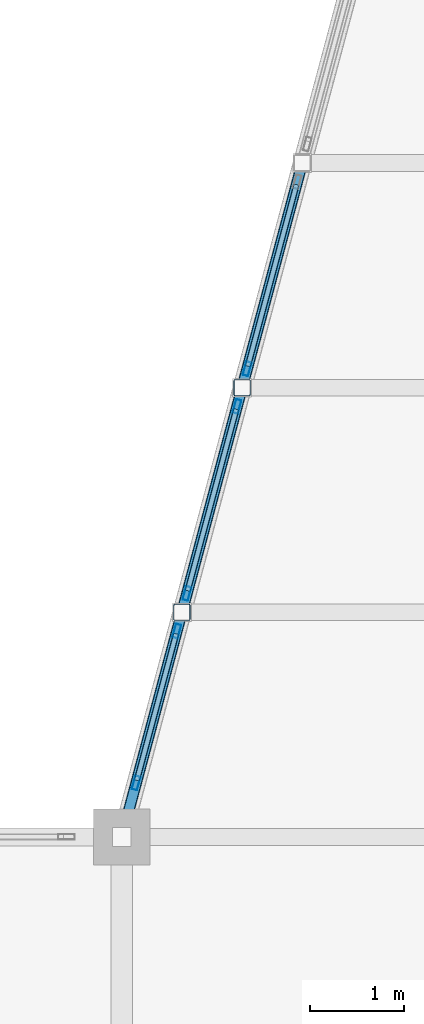
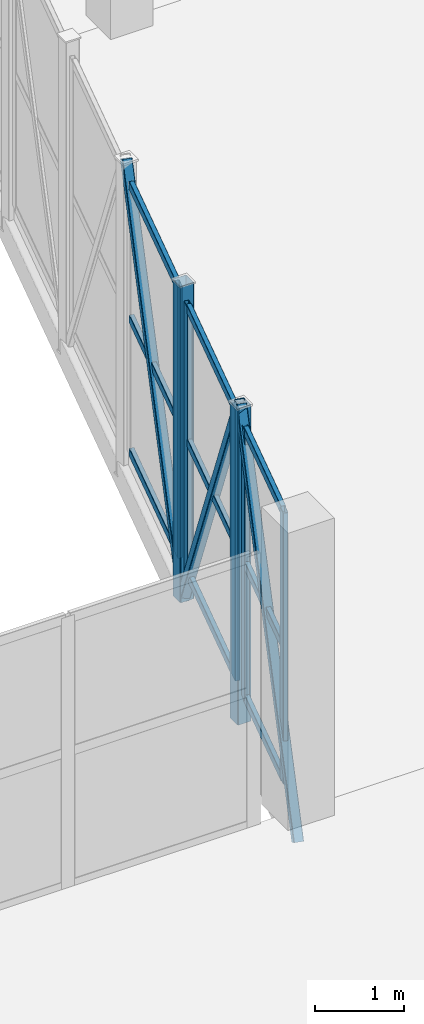
# One storey, part 69 of 127: 19 members, 3 elements without a shape of their own.
"""IFC4 building model written with IfcOpenShell, lengths in metres."""

from ifc_helpers import new_model, si_unit, direction, frame, origin, origin_2d, place, context, subcontext, project, spatial, hollow_rectangle, extrude, material, layer, layer_set, material_profile, profile_set, type_object, element, aggregate, save


model = new_model("IFC4")

# Units and contexts
model_context = context("Model", 3, precision=1e-05, world=origin(), true_north=direction((0.0, 1.0)))
body_context = subcontext(model_context, "Body", "Model", "MODEL_VIEW")
ifc_project = project(units=[si_unit("LENGTHUNIT", "METRE"), si_unit("AREAUNIT", "SQUARE_METRE"), si_unit("VOLUMEUNIT", "CUBIC_METRE"), si_unit("PLANEANGLEUNIT", "RADIAN"), si_unit("MASSUNIT", "GRAM", prefix="KILO")], contexts=[model_context])

# Site, building, storey
site_placement = place(None, origin())
site = spatial("IfcSite", under=ifc_project, at=site_placement, CompositionType="ELEMENT")
building_placement = place(site_placement, origin())
building = spatial("IfcBuilding", under=site, at=building_placement, Name="Dunvalen Ferry Terminal", CompositionType="ELEMENT")
storey_placement = place(building_placement, frame((0.0, 0.0, 5.760009765625)))
storey = spatial("IfcBuildingStorey", under=building, at=storey_placement, Name="L01", CompositionType="ELEMENT", Elevation=5.760009765625)

# Curtain wall, members
ifc_material_1 = material(Name="Anodised marine aluminium and solar-control glazing", Category="aluminium")
ifc_layer = layer(ifc_material_1, 0.159912109375, Name="Anodised marine aluminium and solar-control glazing")
ifc_layer_set = layer_set([ifc_layer], Name="Anodised marine aluminium and solar-control glazing")
curtain_wall_type = type_object("IfcCurtainWallType", Name="ENV-CW-SYS-07", PredefinedType="NOTDEFINED", material=ifc_layer_set)
curtain_wall_1_placement = place(storey_placement, origin())
curtain_wall_1 = element("IfcCurtainWall", 1, at=curtain_wall_1_placement, inside=storey, type_object=curtain_wall_type, Name="L01 Curtain Wall CW-BRG2-S1-1", PredefinedType="NOTDEFINED")
ifc_material_2 = material(Name="Anodised marine aluminium EN AW-6063 T6", Category="aluminium")
ifc_material_profile_1 = material_profile(ifc_material_2, hollow_rectangle(XDim=0.06005859375, YDim=0.14990234375, WallThickness=0.00341796875, InnerFilletRadius=0.00341796875, OuterFilletRadius=0.007080078125, at=origin_2d()), Name="Anodised marine aluminium EN AW-6063 T6")
ifc_profile_set_1 = profile_set([ifc_material_profile_1], Name="Anodised marine aluminium EN AW-6063 T6")
member_type_1 = type_object("IfcMemberType", Name="ENV-CW-MUL-3", PredefinedType="MULLION", material=ifc_profile_set_1)
member_1_placement = place(storey_placement, frame((126.154296875, 86.97607421875, 0.0), z_axis=(0.0, 0.0, 1.0), x_axis=(-0.965919306501, 0.258843376057, 0.0)))
member_1 = element("IfcMember", 2, at=member_1_placement, type_object=member_type_1, Name="CW-07 mullion 1", PredefinedType="MULLION", context=body_context, shape_type="SweptSolid", body=[
    extrude(hollow_rectangle(XDim=0.06005859375, YDim=0.14990234375, WallThickness=0.00341796875, InnerFilletRadius=0.00341796875, OuterFilletRadius=0.007080078125, at=origin_2d()), origin(), (0.0, 0.0, 1.0), 3.719970703125),
])
member_2_placement = place(storey_placement, frame((126.589111328125, 88.59814453125, 0.0), z_axis=(0.0, 0.0, 1.0), x_axis=(-0.965919306501, 0.258843376057, 0.0)))
member_2 = element("IfcMember", 3, at=member_2_placement, type_object=member_type_1, Name="CW-07 mullion 2", PredefinedType="MULLION", context=body_context, shape_type="SweptSolid", body=[
    extrude(hollow_rectangle(XDim=0.06005859375, YDim=0.14990234375, WallThickness=0.00341796875, InnerFilletRadius=0.00341796875, OuterFilletRadius=0.007080078125, at=origin_2d()), origin(), (0.0, 0.0, 1.0), 3.719970703125),
])

curtain_wall_2_placement = place(storey_placement, origin())
curtain_wall_2 = element("IfcCurtainWall", 4, at=curtain_wall_2_placement, inside=storey, type_object=curtain_wall_type, Name="L01 Curtain Wall CW-BRG2-S1-2", PredefinedType="NOTDEFINED")
member_3_placement = place(storey_placement, frame((126.697265625, 89.001708984375, 0.0), z_axis=(0.0, 0.0, 1.0), x_axis=(-0.9659228666, 0.258830090561, 0.0)))
member_3 = element("IfcMember", 5, at=member_3_placement, type_object=member_type_1, Name="CW-07 mullion 1", PredefinedType="MULLION", context=body_context, shape_type="SweptSolid", body=[
    extrude(hollow_rectangle(XDim=0.06005859375, YDim=0.14990234375, WallThickness=0.00341796875, InnerFilletRadius=0.00341796875, OuterFilletRadius=0.007080078125, at=origin_2d()), origin(), (0.0, 0.0, 1.0), 3.719970703125),
])
member_4_placement = place(storey_placement, frame((127.232177734375, 90.998291015625, 0.0), z_axis=(0.0, 0.0, 1.0), x_axis=(-0.9659228666, 0.258830090561, 0.0)))
member_4 = element("IfcMember", 6, at=member_4_placement, type_object=member_type_1, Name="CW-07 mullion 2", PredefinedType="MULLION", context=body_context, shape_type="SweptSolid", body=[
    extrude(hollow_rectangle(XDim=0.06005859375, YDim=0.14990234375, WallThickness=0.00341796875, InnerFilletRadius=0.00341796875, OuterFilletRadius=0.007080078125, at=origin_2d()), origin(), (0.0, 0.0, 1.0), 3.719970703125),
])

# Curtain wall, member
curtain_wall_3_placement = place(storey_placement, origin())
curtain_wall_3 = element("IfcCurtainWall", 7, at=curtain_wall_3_placement, inside=storey, type_object=curtain_wall_type, Name="L01 Curtain Wall CW-BRG2-S1-3", PredefinedType="NOTDEFINED")
member_5_placement = place(storey_placement, frame((127.34033203125, 91.40185546875, 0.0), z_axis=(0.0, 0.0, 1.0), x_axis=(-0.965934620531, 0.258786222315, 0.0)))
member_5 = element("IfcMember", 8, at=member_5_placement, type_object=member_type_1, Name="CW-07 mullion 1", PredefinedType="MULLION", context=body_context, shape_type="SweptSolid", body=[
    extrude(hollow_rectangle(XDim=0.06005859375, YDim=0.14990234375, WallThickness=0.00341796875, InnerFilletRadius=0.00341796875, OuterFilletRadius=0.007080078125, at=origin_2d()), origin(), (0.0, 0.0, 1.0), 3.719970703125),
])

# Member
ifc_material_profile_2 = material_profile(ifc_material_2, hollow_rectangle(XDim=0.06005859375, YDim=0.114990234375, WallThickness=0.0029296875, InnerFilletRadius=0.0029296875, OuterFilletRadius=0.006103515625, at=origin_2d()), Name="Anodised marine aluminium EN AW-6063 T6")
ifc_profile_set_2 = profile_set([ifc_material_profile_2], Name="Anodised marine aluminium EN AW-6063 T6")
member_type_2 = type_object("IfcMemberType", Name="ENV-CW-TRN-3", PredefinedType="USERDEFINED", material=ifc_profile_set_2)
member_6_placement = place(storey_placement, frame((126.162109375, 87.005126953125, 0.030029296875), z_axis=(0.258854143134, 0.965916421117, 0.0), x_axis=(-0.965916421117, 0.258854143134, 0.0)))
member_6 = element("IfcMember", 9, at=member_6_placement, type_object=member_type_2, Name="CW-07 transom 1.1", ObjectType="TRANSOM", PredefinedType="USERDEFINED", context=body_context, shape_type="SweptSolid", body=[
    extrude(hollow_rectangle(XDim=0.06005859375, YDim=0.114990234375, WallThickness=0.0029296875, InnerFilletRadius=0.0029296875, OuterFilletRadius=0.006103515625, at=origin_2d()), origin(), (0.0, 0.0, 1.0), 1.619384765625),
])

member_7_placement = place(storey_placement, frame((126.162109375, 87.005126953125, 1.860107421875), z_axis=(0.258854143134, 0.965916421117, 0.0), x_axis=(-0.965916421117, 0.258854143134, 0.0)))
member_7 = element("IfcMember", 10, at=member_7_placement, type_object=member_type_2, Name="CW-07 transom 1.2", ObjectType="TRANSOM", PredefinedType="USERDEFINED", context=body_context, shape_type="SweptSolid", body=[
    extrude(hollow_rectangle(XDim=0.06005859375, YDim=0.114990234375, WallThickness=0.0029296875, InnerFilletRadius=0.0029296875, OuterFilletRadius=0.006103515625, at=origin_2d()), origin(), (0.0, 0.0, 1.0), 1.619384765625),
])

member_8_placement = place(storey_placement, frame((126.162109375, 87.005126953125, 3.68994140625), z_axis=(0.258854143134, 0.965916421117, 0.0), x_axis=(-0.965916421117, 0.258854143134, 0.0)))
member_8 = element("IfcMember", 11, at=member_8_placement, type_object=member_type_2, Name="CW-07 transom 1.3", ObjectType="TRANSOM", PredefinedType="USERDEFINED", context=body_context, shape_type="SweptSolid", body=[
    extrude(hollow_rectangle(XDim=0.06005859375, YDim=0.114990234375, WallThickness=0.0029296875, InnerFilletRadius=0.0029296875, OuterFilletRadius=0.006103515625, at=origin_2d()), origin(), (0.0, 0.0, 1.0), 1.619384765625),
])

aggregate(curtain_wall_1, [member_1, member_2, member_6, member_7, member_8])

member_9_placement = place(storey_placement, frame((126.704833984375, 89.03076171875, 0.030029296875), z_axis=(0.258873913014, 0.965911122806, 0.0), x_axis=(-0.965911122806, 0.258873913014, 0.0)))
member_9 = element("IfcMember", 12, at=member_9_placement, type_object=member_type_2, Name="CW-07 transom 1.1", ObjectType="TRANSOM", PredefinedType="USERDEFINED", context=body_context, shape_type="SweptSolid", body=[
    extrude(hollow_rectangle(XDim=0.06005859375, YDim=0.114990234375, WallThickness=0.0029296875, InnerFilletRadius=0.0029296875, OuterFilletRadius=0.006103515625, at=origin_2d()), origin(), (0.0, 0.0, 1.0), 2.0068359375),
])

member_10_placement = place(storey_placement, frame((126.704833984375, 89.03076171875, 1.860107421875), z_axis=(0.258873913014, 0.965911122806, 0.0), x_axis=(-0.965911122806, 0.258873913014, 0.0)))
member_10 = element("IfcMember", 13, at=member_10_placement, type_object=member_type_2, Name="CW-07 transom 1.2", ObjectType="TRANSOM", PredefinedType="USERDEFINED", context=body_context, shape_type="SweptSolid", body=[
    extrude(hollow_rectangle(XDim=0.06005859375, YDim=0.114990234375, WallThickness=0.0029296875, InnerFilletRadius=0.0029296875, OuterFilletRadius=0.006103515625, at=origin_2d()), origin(), (0.0, 0.0, 1.0), 2.0068359375),
])

member_11_placement = place(storey_placement, frame((126.704833984375, 89.03076171875, 3.68994140625), z_axis=(0.258873913014, 0.965911122806, 0.0), x_axis=(-0.965911122806, 0.258873913014, 0.0)))
member_11 = element("IfcMember", 14, at=member_11_placement, type_object=member_type_2, Name="CW-07 transom 1.3", ObjectType="TRANSOM", PredefinedType="USERDEFINED", context=body_context, shape_type="SweptSolid", body=[
    extrude(hollow_rectangle(XDim=0.06005859375, YDim=0.114990234375, WallThickness=0.0029296875, InnerFilletRadius=0.0029296875, OuterFilletRadius=0.006103515625, at=origin_2d()), origin(), (0.0, 0.0, 1.0), 2.0068359375),
])

aggregate(curtain_wall_2, [member_3, member_4, member_9, member_10, member_11])

member_12_placement = place(storey_placement, frame((127.34814453125, 91.4306640625, 0.030029296875), z_axis=(0.258760408924, 0.965941535898, 0.0), x_axis=(-0.965941535898, 0.258760408924, 0.0)))
member_12 = element("IfcMember", 15, at=member_12_placement, type_object=member_type_2, Name="CW-07 transom 1.1", ObjectType="TRANSOM", PredefinedType="USERDEFINED", context=body_context, shape_type="SweptSolid", body=[
    extrude(hollow_rectangle(XDim=0.06005859375, YDim=0.114990234375, WallThickness=0.0029296875, InnerFilletRadius=0.0029296875, OuterFilletRadius=0.006103515625, at=origin_2d()), origin(), (0.0, 0.0, 1.0), 2.0068359375),
])

member_13_placement = place(storey_placement, frame((127.34814453125, 91.4306640625, 1.860107421875), z_axis=(0.258760408924, 0.965941535898, 0.0), x_axis=(-0.965941535898, 0.258760408924, 0.0)))
member_13 = element("IfcMember", 16, at=member_13_placement, type_object=member_type_2, Name="CW-07 transom 1.2", ObjectType="TRANSOM", PredefinedType="USERDEFINED", context=body_context, shape_type="SweptSolid", body=[
    extrude(hollow_rectangle(XDim=0.06005859375, YDim=0.114990234375, WallThickness=0.0029296875, InnerFilletRadius=0.0029296875, OuterFilletRadius=0.006103515625, at=origin_2d()), origin(), (0.0, 0.0, 1.0), 2.0068359375),
])

member_14_placement = place(storey_placement, frame((127.34814453125, 91.4306640625, 3.68994140625), z_axis=(0.258760408924, 0.965941535898, 0.0), x_axis=(-0.965941535898, 0.258760408924, 0.0)))
member_14 = element("IfcMember", 17, at=member_14_placement, type_object=member_type_2, Name="CW-07 transom 1.3", ObjectType="TRANSOM", PredefinedType="USERDEFINED", context=body_context, shape_type="SweptSolid", body=[
    extrude(hollow_rectangle(XDim=0.06005859375, YDim=0.114990234375, WallThickness=0.0029296875, InnerFilletRadius=0.0029296875, OuterFilletRadius=0.006103515625, at=origin_2d()), origin(), (0.0, 0.0, 1.0), 2.0068359375),
])

aggregate(curtain_wall_3, [member_5, member_12, member_13, member_14])

# Members
ifc_material_3 = material(Name="Steel S355", Category="steel")
ifc_material_profile_3 = material_profile(ifc_material_3, hollow_rectangle(XDim=0.1201171875, YDim=0.1201171875, WallThickness=0.00634765625, InnerFilletRadius=0.00634765625, OuterFilletRadius=0.0126953125, at=origin_2d()), Name="Steel S355")
ifc_profile_set_3 = profile_set([ifc_material_profile_3], Name="Steel S355")
member_type_3 = type_object("IfcMemberType", Name="STR-MB-SHS120", PredefinedType="BRACE", material=ifc_profile_set_3)
for number, where, z_axis, x_axis, name in (
    (18, (126.0, 86.39990234375, -0.43994140625), (0.128591470582, 0.47994789191, 0.867821556972), (-0.965930947833, 0.258799930484, 0.0), "Boarding Bridge 2 Warren Diagonal 1.1"),
    (19, (126.64306640625, 88.800048828125, 3.89990234375), (0.128594483559, 0.479910316395, -0.867841890563), (-0.965924366126, 0.258824494443, 0.0), "Boarding Bridge 2 Warren Diagonal 1.2"),
    (20, (127.2861328125, 91.199951171875, -0.43994140625), (0.128591470582, 0.47994789191, 0.867821556972), (-0.965930947833, 0.258799930484, 0.0), "Boarding Bridge 2 Warren Diagonal 1.3"),
):
    element("IfcMember", number, at=place(storey_placement, frame(where, z_axis=z_axis, x_axis=x_axis)), inside=storey, type_object=member_type_3, Name=name, PredefinedType="BRACE", context=body_context, shape_type="SweptSolid", body=[
        extrude(hollow_rectangle(XDim=0.1201171875, YDim=0.1201171875, WallThickness=0.00634765625, InnerFilletRadius=0.00634765625, OuterFilletRadius=0.0126953125, at=origin_2d()), origin(), (0.0, 0.0, 1.0), 5.000732421875),
    ])
ifc_material_profile_4 = material_profile(ifc_material_3, hollow_rectangle(XDim=0.179931640625, YDim=0.179931640625, WallThickness=0.008056640625, InnerFilletRadius=0.008056640625, OuterFilletRadius=0.01611328125, at=origin_2d()), Name="Steel S355")
ifc_profile_set_4 = profile_set([ifc_material_profile_4], Name="Steel S355")
member_type_4 = type_object("IfcMemberType", Name="STR-MB-SHS180", PredefinedType="STRUT", material=ifc_profile_set_4)
for number, where, z_axis, x_axis, name in (
    (21, (126.64306640625, 88.800048828125, -0.43994140625), (0.0, 0.0, 1.0), (1.0, 0.0, 0.0), "Boarding Bridge 2 Truss Post 1.1"),
    (22, (127.2861328125, 91.199951171875, -0.43994140625), (0.0, 0.0, 1.0), (1.0, 0.0, 0.0), "Boarding Bridge 2 Truss Post 1.2"),
):
    element("IfcMember", number, at=place(storey_placement, frame(where, z_axis=z_axis, x_axis=x_axis)), inside=storey, type_object=member_type_4, Name=name, PredefinedType="STRUT", context=body_context, shape_type="SweptSolid", body=[
        extrude(hollow_rectangle(XDim=0.179931640625, YDim=0.179931640625, WallThickness=0.008056640625, InnerFilletRadius=0.008056640625, OuterFilletRadius=0.01611328125, at=origin_2d()), origin(), (0.0, 0.0, 1.0), 4.33984375),
    ])

save(model, "model.ifc")
